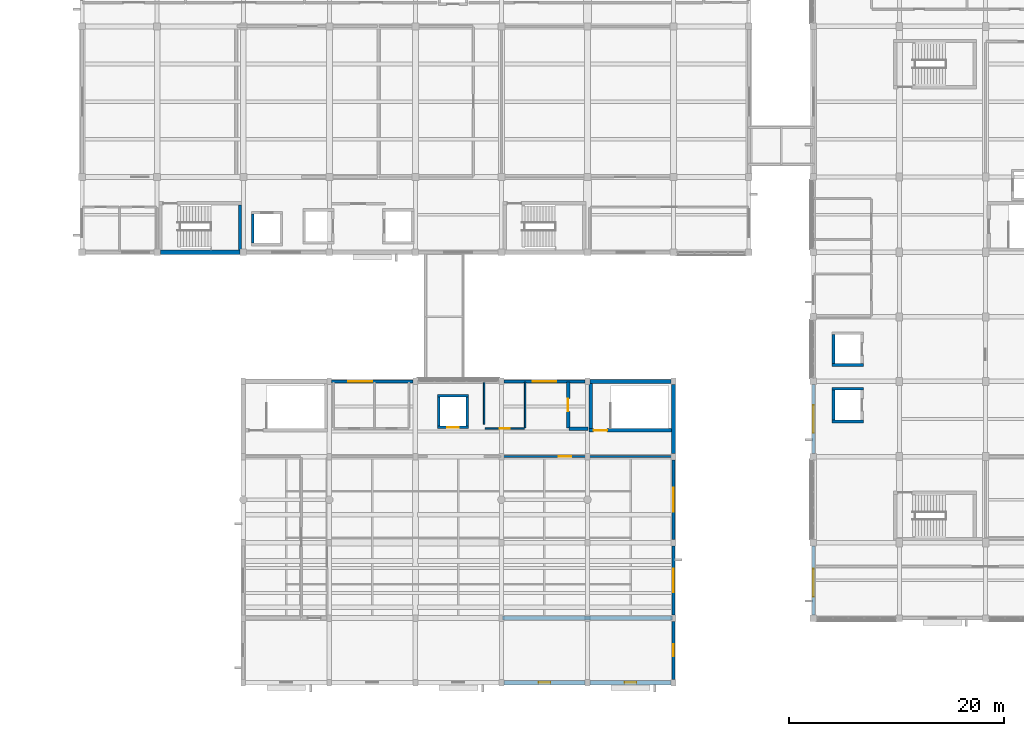
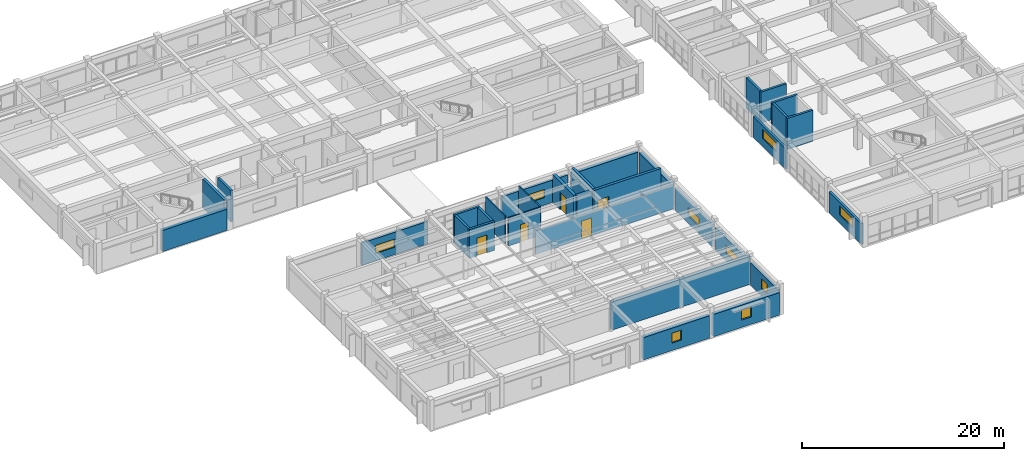
# One storey, part 23 of 33: 32 walls, 9 windows, 5 doors, 14 openings.
"""IFC4 building model written with IfcOpenShell, lengths in metres."""

from ifc_helpers import new_model, si_unit, direction, frame, frame_2d, origin, place, context, subcontext, project, spatial, rectangle, extrude, material, layer, layer_set, type_object, element, fill, save


model = new_model("IFC4")

# Units and contexts
model_context = context("Model", 3, precision=1e-05, world=origin(), true_north=direction((0.0, 1.0)))
body_context = subcontext(model_context, "Body", "Model", "MODEL_VIEW")
ifc_project = project(units=[si_unit("LENGTHUNIT", "METRE"), si_unit("AREAUNIT", "SQUARE_METRE"), si_unit("VOLUMEUNIT", "CUBIC_METRE"), si_unit("PLANEANGLEUNIT", "RADIAN"), si_unit("MASSUNIT", "GRAM", prefix="KILO")], contexts=[model_context])

# Site, building, storey
site_placement = place(None, origin())
site = spatial("IfcSite", under=ifc_project, at=site_placement, CompositionType="ELEMENT")
building_placement = place(site_placement, origin())
building = spatial("IfcBuilding", under=site, at=building_placement, Name="Naurynzar Civic Courthouse", CompositionType="ELEMENT")
storey_placement = place(building_placement, frame((0.0, 0.0, 22.050048828125)))
storey = spatial("IfcBuildingStorey", under=building, at=storey_placement, Name="L06", CompositionType="ELEMENT", Elevation=22.050048828125)

# Wall
ifc_material_1 = material(Name="Concrete C40/50", Category="concrete")
ifc_layer_1 = layer(ifc_material_1, 0.300048828125)
ifc_layer_set_1 = layer_set([ifc_layer_1], Name="WL-CORE-300")
wall_type_1 = type_object("IfcWallType", Name="WL-CORE-300", PredefinedType="SHEAR", material=ifc_layer_set_1)
wall_1_placement = place(storey_placement, frame((76.699951171875, 44.195068359375, 0.0), z_axis=(0.0, 0.0, 1.0), x_axis=(0.0, 1.0, 0.0)))
element("IfcWall", 1, at=wall_1_placement, inside=storey, type_object=wall_type_1, Name="Stair ST-V2A enclosure wall east L06", PredefinedType="SHEAR", context=body_context, shape_type="SweptSolid", body=[
    extrude(rectangle(XDim=4.199951171875, YDim=0.300048828125, at=frame_2d((2.10009765625, 0.0))), origin(), (0.0, 0.0, 1.0), 3.469970703125),
])

# Wall, opening, door
wall_2_placement = place(storey_placement, frame((109.14990234375, 27.449951171875, 0.0), z_axis=(0.0, 0.0, 1.0), x_axis=(1.0, 0.0, 0.0)))
wall_2 = element("IfcWall", 2, at=wall_2_placement, inside=storey, type_object=wall_type_1, Name="Stair ST-V3B enclosure wall south L06", PredefinedType="SHEAR", context=body_context, shape_type="SweptSolid", body=[
    extrude(rectangle(XDim=7.655029296875, YDim=0.300048828125, at=frame_2d((3.82763671875, 0.0))), origin(), (0.0, 0.0, 1.0), 3.469970703125),
])
opening_1_placement = place(wall_2_placement, frame((0.425048828125, 0.0, 0.0)))
opening_1 = element("IfcOpeningElement", 3, at=opening_1_placement, cuts=wall_2, Name="Opening SD-058", PredefinedType="OPENING", context=body_context, shape_type="SweptSolid", body=[
    extrude(rectangle(XDim=1.25, YDim=2.14990234375, at=frame_2d((0.625, 1.074951171875))), frame((0.0, 0.159912109375, 0.0), z_axis=(0.0, -1.0, 0.0), x_axis=(1.0, 0.0, 0.0)), (0.0, 0.0, 1.0), 0.320068359375),
])
ifc_material_2 = material(Name="Powder-Coated Galvanised Steel", Category="steel")
door_type_1 = type_object("IfcDoorType", Name="DR-STAIR-1250x2150", OperationType="NOTDEFINED", PredefinedType="DOOR", material=ifc_material_2)
door_1_placement = place(opening_1_placement, origin())
door_1 = element("IfcDoor", 4, at=door_1_placement, inside=storey, type_object=door_type_1, Name="Stair ST-V3B fire door L06", OperationType="SINGLE_SWING_RIGHT", OverallHeight=2.14990234375, OverallWidth=1.25, PredefinedType="DOOR", context=body_context, shape_type="SweptSolid", body=[
    extrude(rectangle(XDim=1.25, YDim=2.14990234375, at=frame_2d((0.625, 1.074951171875))), frame((0.0, 0.02490234375, 0.0), z_axis=(0.0, -1.0, 0.0), x_axis=(1.0, 0.0, 0.0)), (0.0, 0.0, 1.0), 0.050048828125),
])
fill(opening_1, door_1)

# Walls
wall_3_placement = place(storey_placement, frame((109.300048828125, 31.804931640625, 0.0), z_axis=(0.0, 0.0, 1.0), x_axis=(0.0, -1.0, 0.0)))
element("IfcWall", 5, at=wall_3_placement, inside=storey, type_object=wall_type_1, Name="Stair ST-V3B enclosure wall west L06", PredefinedType="SHEAR", context=body_context, shape_type="SweptSolid", body=[
    extrude(rectangle(XDim=4.199951171875, YDim=0.300048828125, at=frame_2d((2.10009765625, 0.0))), origin(), (0.0, 0.0, 1.0), 3.469970703125),
])
ifc_material_3 = material(Name="Concrete C40/50", Category="concrete")
ifc_layer_2 = layer(ifc_material_3, 0.35009765625)
ifc_layer_set_2 = layer_set([ifc_layer_2], Name="WL-CORE-350")
wall_type_2 = type_object("IfcWallType", Name="WL-CORE-350", PredefinedType="SHEAR", material=ifc_layer_set_2)
wall_4_placement = place(storey_placement, frame((101.080078125, 10.0, 0.0), z_axis=(0.0, 0.0, 1.0), x_axis=(1.0, 0.0, 0.0)))
element("IfcWall", 6, at=wall_4_placement, inside=storey, type_object=wall_type_2, Name="V3 interior partition L06.652", PredefinedType="SHEAR", context=body_context, shape_type="SweptSolid", body=[
    extrude(rectangle(XDim=15.83984375, YDim=0.35009765625, at=frame_2d((7.919921875, 0.0))), origin(), (0.0, 0.0, 1.0), 3.389892578125),
])
wall_5_placement = place(storey_placement, frame((107.280029296875, 27.60009765625, 0.0), z_axis=(0.0, 0.0, 1.0), x_axis=(1.0, 0.0, 0.0)))
element("IfcWall", 7, at=wall_5_placement, inside=storey, type_object=wall_type_2, Name="V3 interior partition L06.663", PredefinedType="SHEAR", context=body_context, shape_type="SweptSolid", body=[
    extrude(rectangle(XDim=1.77001953125, YDim=0.35009765625, at=frame_2d((0.885009765625, 0.0))), origin(), (0.0, 0.0, 1.0), 3.389892578125),
])

# Wall, opening, door
wall_6_placement = place(storey_placement, frame((107.199951171875, 27.679931640625, 0.0), z_axis=(0.0, 0.0, 1.0), x_axis=(0.0, 1.0, 0.0)))
wall_6 = element("IfcWall", 8, at=wall_6_placement, inside=storey, type_object=wall_type_2, Name="V3 interior partition L06.707", PredefinedType="SHEAR", context=body_context, shape_type="SweptSolid", body=[
    extrude(rectangle(XDim=4.239990234375, YDim=0.35009765625, at=frame_2d((2.1201171875, 0.0))), origin(), (0.0, 0.0, 1.0), 3.389892578125),
])
opening_2_placement = place(wall_6_placement, frame((1.52001953125, 0.0, 0.0)))
opening_2 = element("IfcOpeningElement", 9, at=opening_2_placement, cuts=wall_6, Name="Opening D-264", PredefinedType="OPENING", context=body_context, shape_type="SweptSolid", body=[
    extrude(rectangle(XDim=1.199951171875, YDim=2.14990234375, at=frame_2d((0.60009765625, 1.074951171875))), frame((0.0, 0.18505859375, 0.0), z_axis=(0.0, -1.0, 0.0), x_axis=(1.0, 0.0, 0.0)), (0.0, 0.0, 1.0), 0.3701171875),
])
ifc_material_4 = material(Name="Powder-Coated Galvanised Steel", Category="steel")
door_type_2 = type_object("IfcDoorType", Name="DR-ARCH-1200x2150", OperationType="NOTDEFINED", PredefinedType="DOOR", material=ifc_material_4)
door_2_placement = place(opening_2_placement, origin())
door_2 = element("IfcDoor", 10, at=door_2_placement, inside=storey, type_object=door_type_2, Name="Interior door D-264 (Law Library Book Stacks North L06)", OperationType="SINGLE_SWING_RIGHT", OverallHeight=2.14990234375, OverallWidth=1.199951171875, PredefinedType="DOOR", context=body_context, shape_type="SweptSolid", body=[
    extrude(rectangle(XDim=1.199951171875, YDim=2.14990234375, at=frame_2d((0.60009765625, 1.074951171875))), frame((0.0, 0.02490234375, 0.0), z_axis=(0.0, -1.0, 0.0), x_axis=(1.0, 0.0, 0.0)), (0.0, 0.0, 1.0), 0.050048828125),
])
fill(opening_2, door_2)

# Wall, opening, window
ifc_material_5 = material(Name="Precast concrete C40/50", Category="concrete")
ifc_layer_3 = layer(ifc_material_5, 0.260009765625)
ifc_layer_set_3 = layer_set([ifc_layer_3], Name="WL-EXT-260")
wall_type_3 = type_object("IfcWallType", Name="WL-EXT-260", PredefinedType="SOLIDWALL", material=ifc_layer_set_3)
wall_7_placement = place(storey_placement, frame((85.22509765625, 32.0, 0.0), z_axis=(0.0, 0.0, 1.0), x_axis=(1.0, 0.0, 0.0)))
wall_7 = element("IfcWall", 11, at=wall_7_placement, inside=storey, type_object=wall_type_3, Name="V3 exterior wall north L06.2.1", PredefinedType="SOLIDWALL", context=body_context, shape_type="SweptSolid", body=[
    extrude(rectangle(XDim=7.5498046875, YDim=0.260009765625, at=frame_2d((3.77490234375, 0.0))), origin(), (0.0, 0.0, 1.0), 2.7099609375),
])
opening_3_placement = place(wall_7_placement, frame((1.554931640625, 0.0, 0.89990234375)))
opening_3 = element("IfcOpeningElement", 12, at=opening_3_placement, cuts=wall_7, Name="Opening WN-18", PredefinedType="OPENING", context=body_context, shape_type="SweptSolid", body=[
    extrude(rectangle(XDim=2.199951171875, YDim=1.0, at=frame_2d((1.10009765625, 0.5))), frame((0.0, 0.139892578125, 0.0), z_axis=(0.0, -1.0, 0.0), x_axis=(1.0, 0.0, 0.0)), (0.0, 0.0, 1.0), 0.280029296875),
])
ifc_material_6 = material(Name="Tempered Laminated Low-E Glass", Category="glass")
window_type_1 = type_object("IfcWindowType", Name="WIN-CLER-2200x1000", PartitioningType="DOUBLE_PANEL_VERTICAL", PredefinedType="WINDOW", material=ifc_material_6)
window_1_placement = place(opening_3_placement, origin())
window_1 = element("IfcWindow", 13, at=window_1_placement, inside=storey, type_object=window_type_1, Name="V3 window 204 L06", OverallHeight=1.0, OverallWidth=2.199951171875, PartitioningType="SINGLE_PANEL", PredefinedType="WINDOW", context=body_context, shape_type="SweptSolid", body=[
    extrude(rectangle(XDim=2.199951171875, YDim=1.0, at=frame_2d((1.10009765625, 0.5))), frame((0.0, 0.030029296875, 0.0), z_axis=(0.0, -1.0, 0.0), x_axis=(1.0, 0.0, 0.0)), (0.0, 0.0, 1.0), 0.06005859375),
])
fill(opening_3, window_1)

wall_8_placement = place(storey_placement, frame((101.22509765625, 32.0, 0.0), z_axis=(0.0, 0.0, 1.0), x_axis=(1.0, 0.0, 0.0)))
wall_8 = element("IfcWall", 14, at=wall_8_placement, inside=storey, type_object=wall_type_3, Name="V3 exterior wall north L06.4.1", PredefinedType="SOLIDWALL", context=body_context, shape_type="SweptSolid", body=[
    extrude(rectangle(XDim=7.5498046875, YDim=0.260009765625, at=frame_2d((3.77490234375, 0.0))), origin(), (0.0, 0.0, 1.0), 2.7099609375),
])
opening_4_placement = place(wall_8_placement, frame((2.675048828125, 0.0, 0.89990234375)))
opening_4 = element("IfcOpeningElement", 15, at=opening_4_placement, cuts=wall_8, Name="Opening WN-18", PredefinedType="OPENING", context=body_context, shape_type="SweptSolid", body=[
    extrude(rectangle(XDim=2.199951171875, YDim=1.0, at=frame_2d((1.10009765625, 0.5))), frame((0.0, 0.139892578125, 0.0), z_axis=(0.0, -1.0, 0.0), x_axis=(1.0, 0.0, 0.0)), (0.0, 0.0, 1.0), 0.280029296875),
])
window_2_placement = place(opening_4_placement, origin())
window_2 = element("IfcWindow", 16, at=window_2_placement, inside=storey, type_object=window_type_1, Name="V3 window 205 L06", OverallHeight=1.0, OverallWidth=2.199951171875, PartitioningType="SINGLE_PANEL", PredefinedType="WINDOW", context=body_context, shape_type="SweptSolid", body=[
    extrude(rectangle(XDim=2.199951171875, YDim=1.0, at=frame_2d((1.10009765625, 0.5))), frame((0.0, 0.030029296875, 0.0), z_axis=(0.0, -1.0, 0.0), x_axis=(1.0, 0.0, 0.0)), (0.0, 0.0, 1.0), 0.06005859375),
])
fill(opening_4, window_2)

wall_9_placement = place(storey_placement, frame((117.0, 24.699951171875, 0.0), z_axis=(0.0, 0.0, 1.0), x_axis=(0.0, -1.0, 0.0)))
wall_9 = element("IfcWall", 17, at=wall_9_placement, inside=storey, type_object=wall_type_3, Name="V3 exterior wall east L06.2.1", PredefinedType="SOLIDWALL", context=body_context, shape_type="SweptSolid", body=[
    extrude(rectangle(XDim=7.39990234375, YDim=0.260009765625, at=frame_2d((3.699951171875, 0.0))), origin(), (0.0, 0.0, 1.0), 2.7099609375),
])
opening_5_placement = place(wall_9_placement, frame((2.60009765625, 0.0, 0.89990234375)))
opening_5 = element("IfcOpeningElement", 18, at=opening_5_placement, cuts=wall_9, Name="Opening WN-18", PredefinedType="OPENING", context=body_context, shape_type="SweptSolid", body=[
    extrude(rectangle(XDim=2.199951171875, YDim=1.0, at=frame_2d((1.10009765625, 0.5))), frame((0.0, 0.139892578125, 0.0), z_axis=(0.0, -1.0, 0.0), x_axis=(1.0, 0.0, 0.0)), (0.0, 0.0, 1.0), 0.280029296875),
])
window_3_placement = place(opening_5_placement, origin())
window_3 = element("IfcWindow", 19, at=window_3_placement, inside=storey, type_object=window_type_1, Name="V3 window 206 L06", OverallHeight=1.0, OverallWidth=2.199951171875, PartitioningType="SINGLE_PANEL", PredefinedType="WINDOW", context=body_context, shape_type="SweptSolid", body=[
    extrude(rectangle(XDim=2.199951171875, YDim=1.0, at=frame_2d((1.10009765625, 0.5))), frame((0.0, 0.030029296875, 0.0), z_axis=(0.0, -1.0, 0.0), x_axis=(1.0, 0.0, 0.0)), (0.0, 0.0, 1.0), 0.06005859375),
])
fill(opening_5, window_3)

wall_10_placement = place(storey_placement, frame((117.0, 16.699951171875, 0.0), z_axis=(0.0, 0.0, 1.0), x_axis=(0.0, -1.0, 0.0)))
wall_10 = element("IfcWall", 20, at=wall_10_placement, inside=storey, type_object=wall_type_3, Name="V3 exterior wall east L06.3.1", PredefinedType="SOLIDWALL", context=body_context, shape_type="SweptSolid", body=[
    extrude(rectangle(XDim=6.39990234375, YDim=0.260009765625, at=frame_2d((3.199951171875, 0.0))), origin(), (0.0, 0.0, 1.0), 2.7099609375),
])
opening_6_placement = place(wall_10_placement, frame((2.10009765625, 0.0, 0.89990234375)))
opening_6 = element("IfcOpeningElement", 21, at=opening_6_placement, cuts=wall_10, Name="Opening WN-18", PredefinedType="OPENING", context=body_context, shape_type="SweptSolid", body=[
    extrude(rectangle(XDim=2.199951171875, YDim=1.0, at=frame_2d((1.10009765625, 0.5))), frame((0.0, 0.139892578125, 0.0), z_axis=(0.0, -1.0, 0.0), x_axis=(1.0, 0.0, 0.0)), (0.0, 0.0, 1.0), 0.280029296875),
])
window_4_placement = place(opening_6_placement, origin())
window_4 = element("IfcWindow", 22, at=window_4_placement, inside=storey, type_object=window_type_1, Name="V3 window 207 L06", OverallHeight=1.0, OverallWidth=2.199951171875, PartitioningType="SINGLE_PANEL", PredefinedType="WINDOW", context=body_context, shape_type="SweptSolid", body=[
    extrude(rectangle(XDim=2.199951171875, YDim=1.0, at=frame_2d((1.10009765625, 0.5))), frame((0.0, 0.030029296875, 0.0), z_axis=(0.0, -1.0, 0.0), x_axis=(1.0, 0.0, 0.0)), (0.0, 0.0, 1.0), 0.06005859375),
])
fill(opening_6, window_4)

wall_11_placement = place(storey_placement, frame((117.0, 9.699951171875, 0.0), z_axis=(0.0, 0.0, 1.0), x_axis=(0.0, -1.0, 0.0)))
wall_11 = element("IfcWall", 23, at=wall_11_placement, inside=storey, type_object=wall_type_3, Name="V3 exterior wall east L06.4.1", PredefinedType="SOLIDWALL", context=body_context, shape_type="SweptSolid", body=[
    extrude(rectangle(XDim=5.39990234375, YDim=0.260009765625, at=frame_2d((2.699951171875, 0.0))), origin(), (0.0, 0.0, 1.0), 2.7099609375),
])
opening_7_placement = place(wall_11_placement, frame((2.14990234375, 0.0, 0.89990234375)))
opening_7 = element("IfcOpeningElement", 24, at=opening_7_placement, cuts=wall_11, Name="Opening WN-15", PredefinedType="OPENING", context=body_context, shape_type="SweptSolid", body=[
    extrude(rectangle(XDim=1.10009765625, YDim=1.199951171875, at=frame_2d((0.550048828125, 0.60009765625))), frame((0.0, 0.139892578125, 0.0), z_axis=(0.0, -1.0, 0.0), x_axis=(1.0, 0.0, 0.0)), (0.0, 0.0, 1.0), 0.280029296875),
])
ifc_material_7 = material(Name="Tempered Laminated Low-E Glass", Category="glass")
window_type_2 = type_object("IfcWindowType", Name="WIN-SEC-1100x1200", PartitioningType="SINGLE_PANEL", PredefinedType="WINDOW", material=ifc_material_7)
window_5_placement = place(opening_7_placement, origin())
window_5 = element("IfcWindow", 25, at=window_5_placement, inside=storey, type_object=window_type_2, Name="V3 window 208 L06", OverallHeight=1.199951171875, OverallWidth=1.10009765625, PartitioningType="SINGLE_PANEL", PredefinedType="WINDOW", context=body_context, shape_type="SweptSolid", body=[
    extrude(rectangle(XDim=1.10009765625, YDim=1.199951171875, at=frame_2d((0.550048828125, 0.60009765625))), frame((0.0, 0.030029296875, 0.0), z_axis=(0.0, -1.0, 0.0), x_axis=(1.0, 0.0, 0.0)), (0.0, 0.0, 1.0), 0.06005859375),
])
fill(opening_7, window_5)

wall_12_placement = place(storey_placement, frame((130.0, 10.300048828125, 0.0), z_axis=(0.0, 0.0, 1.0), x_axis=(0.0, 1.0, 0.0)))
wall_12 = element("IfcWall", 26, at=wall_12_placement, inside=storey, type_object=wall_type_3, Name="V5 exterior wall west L06.1.1", PredefinedType="SOLIDWALL", context=body_context, shape_type="SweptSolid", body=[
    extrude(rectangle(XDim=6.39990234375, YDim=0.260009765625, at=frame_2d((3.199951171875, 0.0))), origin(), (0.0, 0.0, 1.0), 2.510009765625),
])
opening_8_placement = place(wall_12_placement, frame((1.679931640625, 0.0, 1.0)))
opening_8 = element("IfcOpeningElement", 27, at=opening_8_placement, cuts=wall_12, Name="Opening WN-17", PredefinedType="OPENING", context=body_context, shape_type="SweptSolid", body=[
    extrude(rectangle(XDim=2.60009765625, YDim=1.10009765625, at=frame_2d((1.300048828125, 0.550048828125))), frame((0.0, 0.139892578125, 0.0), z_axis=(0.0, -1.0, 0.0), x_axis=(1.0, 0.0, 0.0)), (0.0, 0.0, 1.0), 0.280029296875),
])
ifc_material_8 = material(Name="Tempered Laminated Low-E Glass", Category="glass")
window_type_3 = type_object("IfcWindowType", Name="WIN-CLER-2600x1100", PartitioningType="DOUBLE_PANEL_VERTICAL", PredefinedType="WINDOW", material=ifc_material_8)
window_6_placement = place(opening_8_placement, origin())
window_6 = element("IfcWindow", 28, at=window_6_placement, inside=storey, type_object=window_type_3, Name="V5 window 336 L06", OverallHeight=1.10009765625, OverallWidth=2.60009765625, PartitioningType="SINGLE_PANEL", PredefinedType="WINDOW", context=body_context, shape_type="SweptSolid", body=[
    extrude(rectangle(XDim=2.60009765625, YDim=1.10009765625, at=frame_2d((1.300048828125, 0.550048828125))), frame((0.0, 0.030029296875, 0.0), z_axis=(0.0, -1.0, 0.0), x_axis=(1.0, 0.0, 0.0)), (0.0, 0.0, 1.0), 0.06005859375),
])
fill(opening_8, window_6)

wall_13_placement = place(storey_placement, frame((130.0, 25.300048828125, 0.0), z_axis=(0.0, 0.0, 1.0), x_axis=(0.0, 1.0, 0.0)))
wall_13 = element("IfcWall", 29, at=wall_13_placement, inside=storey, type_object=wall_type_3, Name="V5 exterior wall west L06.3.1", PredefinedType="SOLIDWALL", context=body_context, shape_type="SweptSolid", body=[
    extrude(rectangle(XDim=6.39990234375, YDim=0.260009765625, at=frame_2d((3.199951171875, 0.0))), origin(), (0.0, 0.0, 1.0), 2.510009765625),
])
opening_9_placement = place(wall_13_placement, frame((1.89990234375, 0.0, 1.0)))
opening_9 = element("IfcOpeningElement", 30, at=opening_9_placement, cuts=wall_13, Name="Opening WN-17", PredefinedType="OPENING", context=body_context, shape_type="SweptSolid", body=[
    extrude(rectangle(XDim=2.60009765625, YDim=1.10009765625, at=frame_2d((1.300048828125, 0.550048828125))), frame((0.0, 0.139892578125, 0.0), z_axis=(0.0, -1.0, 0.0), x_axis=(1.0, 0.0, 0.0)), (0.0, 0.0, 1.0), 0.280029296875),
])
window_7_placement = place(opening_9_placement, origin())
window_7 = element("IfcWindow", 31, at=window_7_placement, inside=storey, type_object=window_type_3, Name="V5 window 337 L06", OverallHeight=1.10009765625, OverallWidth=2.60009765625, PartitioningType="SINGLE_PANEL", PredefinedType="WINDOW", context=body_context, shape_type="SweptSolid", body=[
    extrude(rectangle(XDim=2.60009765625, YDim=1.10009765625, at=frame_2d((1.300048828125, 0.550048828125))), frame((0.0, 0.030029296875, 0.0), z_axis=(0.0, -1.0, 0.0), x_axis=(1.0, 0.0, 0.0)), (0.0, 0.0, 1.0), 0.06005859375),
])
fill(opening_9, window_7)

# Wall, opening, door
ifc_material_9 = material(Name="Acoustic Double-Stud Gypsum Partition")
ifc_layer_4 = layer(ifc_material_9, 0.179931640625)
ifc_layer_set_4 = layer_set([ifc_layer_4], Name="WL-PART-JURY-180")
wall_type_4 = type_object("IfcWallType", Name="WL-PART-JURY-180", PredefinedType="PARTITIONING", material=ifc_layer_set_4)
wall_14_placement = place(storey_placement, frame((101.080078125, 25.0, 0.0), z_axis=(0.0, 0.0, 1.0), x_axis=(1.0, 0.0, 0.0)))
wall_14 = element("IfcWall", 32, at=wall_14_placement, inside=storey, type_object=wall_type_4, Name="V3 interior partition L06.658", PredefinedType="PARTITIONING", context=body_context, shape_type="SweptSolid", body=[
    extrude(rectangle(XDim=15.83984375, YDim=0.179931640625, at=frame_2d((7.919921875, 0.0))), origin(), (0.0, 0.0, 1.0), 2.829833984375),
])
opening_10_placement = place(wall_14_placement, frame((5.24658203125, 0.0, 0.0)))
opening_10 = element("IfcOpeningElement", 33, at=opening_10_placement, cuts=wall_14, Name="Opening D-267", PredefinedType="OPENING", context=body_context, shape_type="SweptSolid", body=[
    extrude(rectangle(XDim=1.14990234375, YDim=2.199951171875, at=frame_2d((0.574951171875, 1.10009765625))), frame((0.0, 0.099853515625, 0.0), z_axis=(0.0, -1.0, 0.0), x_axis=(1.0, 0.0, 0.0)), (0.0, 0.0, 1.0), 0.199951171875),
])
ifc_material_10 = material(Name="Acoustic Oak Timber Grade A", Category="wood")
door_type_3 = type_object("IfcDoorType", Name="DR-JURY-1150x2200", OperationType="NOTDEFINED", PredefinedType="DOOR", material=ifc_material_10)
door_3_placement = place(opening_10_placement, origin())
door_3 = element("IfcDoor", 34, at=door_3_placement, inside=storey, type_object=door_type_3, Name="Interior door D-267 (Legal Scholars Seminar Room L06)", OperationType="SINGLE_SWING_LEFT", OverallHeight=2.199951171875, OverallWidth=1.14990234375, PredefinedType="DOOR", context=body_context, shape_type="SweptSolid", body=[
    extrude(rectangle(XDim=1.14990234375, YDim=2.199951171875, at=frame_2d((0.574951171875, 1.10009765625))), frame((0.0, 0.02490234375, 0.0), z_axis=(0.0, -1.0, 0.0), x_axis=(1.0, 0.0, 0.0)), (0.0, 0.0, 1.0), 0.050048828125),
])
fill(opening_10, door_3)

ifc_material_11 = material(Name="Moisture-Resistant Plumbing Partition")
ifc_layer_5 = layer(ifc_material_11, 0.139892578125)
ifc_layer_set_5 = layer_set([ifc_layer_5], Name="WL-PART-WC-140")
wall_type_5 = type_object("IfcWallType", Name="WL-PART-WC-140", PredefinedType="PLUMBINGWALL", material=ifc_layer_set_5)
wall_15_placement = place(storey_placement, frame((99.47998046875, 27.60009765625, 0.0), z_axis=(0.0, 0.0, 1.0), x_axis=(1.0, 0.0, 0.0)))
wall_15 = element("IfcWall", 35, at=wall_15_placement, inside=storey, type_object=wall_type_5, Name="V3 interior partition L06.662", PredefinedType="PLUMBINGWALL", context=body_context, shape_type="SweptSolid", body=[
    extrude(rectangle(XDim=3.64013671875, YDim=0.139892578125, at=frame_2d((1.820068359375, 0.0))), origin(), (0.0, 0.0, 1.0), 3.389892578125),
])
opening_11_placement = place(wall_15_placement, frame((1.360107421875, 0.0, 0.0)))
opening_11 = element("IfcOpeningElement", 36, at=opening_11_placement, cuts=wall_15, Name="Opening D-262", PredefinedType="OPENING", context=body_context, shape_type="SweptSolid", body=[
    extrude(rectangle(XDim=0.919921875, YDim=2.10009765625, at=frame_2d((0.4599609375, 1.050048828125))), frame((0.0, 0.079833984375, 0.0), z_axis=(0.0, -1.0, 0.0), x_axis=(1.0, 0.0, 0.0)), (0.0, 0.0, 1.0), 0.159912109375),
])
ifc_material_12 = material(Name="Acoustic Oak Timber Grade A", Category="wood")
door_type_4 = type_object("IfcDoorType", Name="DR-WC-STD-920x2100", OperationType="NOTDEFINED", PredefinedType="DOOR", material=ifc_material_12)
door_4_placement = place(opening_11_placement, origin())
door_4 = element("IfcDoor", 37, at=door_4_placement, inside=storey, type_object=door_type_4, Name="Interior door D-262 (Staff WC V3)", OperationType="SINGLE_SWING_RIGHT", OverallHeight=2.10009765625, OverallWidth=0.919921875, PredefinedType="DOOR", context=body_context, shape_type="SweptSolid", body=[
    extrude(rectangle(XDim=0.919921875, YDim=2.10009765625, at=frame_2d((0.4599609375, 1.050048828125))), frame((0.0, 0.02490234375, 0.0), z_axis=(0.0, -1.0, 0.0), x_axis=(1.0, 0.0, 0.0)), (0.0, 0.0, 1.0), 0.050048828125),
])
fill(opening_11, door_4)

# Walls
wall_16_placement = place(storey_placement, frame((99.39990234375, 28.0, 0.0), z_axis=(0.0, 0.0, 1.0), x_axis=(0.0, 1.0, 0.0)))
element("IfcWall", 38, at=wall_16_placement, inside=storey, type_object=wall_type_5, Name="V3 interior partition L06.703", PredefinedType="PLUMBINGWALL", context=body_context, shape_type="SweptSolid", body=[
    extrude(rectangle(XDim=3.919921875, YDim=0.139892578125, at=frame_2d((1.9599609375, 0.0))), origin(), (0.0, 0.0, 1.0), 3.389892578125),
])
wall_17_placement = place(storey_placement, frame((103.199951171875, 27.679931640625, 0.0), z_axis=(0.0, 0.0, 1.0), x_axis=(0.0, 1.0, 0.0)))
element("IfcWall", 39, at=wall_17_placement, inside=storey, type_object=wall_type_5, Name="V3 interior partition L06.706", PredefinedType="PLUMBINGWALL", context=body_context, shape_type="SweptSolid", body=[
    extrude(rectangle(XDim=4.239990234375, YDim=0.139892578125, at=frame_2d((2.1201171875, 0.0))), origin(), (0.0, 0.0, 1.0), 3.389892578125),
])
ifc_material_13 = material(Name="Concrete C40/50", Category="concrete")
ifc_layer_6 = layer(ifc_material_13, 0.3798828125)
ifc_layer_set_6 = layer_set([ifc_layer_6], Name="WL-RET-380")
wall_type_6 = type_object("IfcWallType", Name="WL-RET-380", PredefinedType="STANDARD", material=ifc_layer_set_6)
wall_18_placement = place(storey_placement, frame((76.6875, 44.0, 0.0), z_axis=(0.0, 0.0, 1.0), x_axis=(-1.0, 0.0, 0.0)))
element("IfcWall", 40, at=wall_18_placement, inside=storey, type_object=wall_type_6, Name="V2 exterior wall south L06.7.1", PredefinedType="STANDARD", context=body_context, shape_type="SweptSolid", body=[
    extrude(rectangle(XDim=7.375, YDim=0.3798828125, at=frame_2d((3.6875, 0.0))), origin(), (0.0, 0.0, 1.0), 2.56005859375),
])
wall_19_placement = place(storey_placement, frame((109.22509765625, 32.0, 0.0), z_axis=(0.0, 0.0, 1.0), x_axis=(1.0, 0.0, 0.0)))
element("IfcWall", 41, at=wall_19_placement, inside=storey, type_object=wall_type_6, Name="V3 exterior wall north L06.5.1", PredefinedType="STANDARD", context=body_context, shape_type="SweptSolid", body=[
    extrude(rectangle(XDim=7.5498046875, YDim=0.3798828125, at=frame_2d((3.77490234375, 0.0))), origin(), (0.0, 0.0, 1.0), 2.7099609375),
])
wall_20_placement = place(storey_placement, frame((117.0, 31.699951171875, 0.0), z_axis=(0.0, 0.0, 1.0), x_axis=(0.0, -1.0, 0.0)))
element("IfcWall", 42, at=wall_20_placement, inside=storey, type_object=wall_type_6, Name="V3 exterior wall east L06.1.1", PredefinedType="STANDARD", context=body_context, shape_type="SweptSolid", body=[
    extrude(rectangle(XDim=6.39990234375, YDim=0.3798828125, at=frame_2d((3.199951171875, 0.0))), origin(), (0.0, 0.0, 1.0), 2.7099609375),
])
ifc_material_14 = material(Name="Concrete C40/50", Category="concrete")
ifc_layer_7 = layer(ifc_material_14, 0.25)
ifc_layer_set_7 = layer_set([ifc_layer_7], Name="WL-SHAFT-250")
wall_type_7 = type_object("IfcWallType", Name="WL-SHAFT-250", PredefinedType="SHEAR", material=ifc_layer_set_7)
wall_21_placement = place(storey_placement, frame((77.875, 47.544921875, 0.0), z_axis=(0.0, 0.0, 1.0), x_axis=(0.0, -1.0, 0.0)))
element("IfcWall", 43, at=wall_21_placement, inside=storey, type_object=wall_type_7, Name="Lift LP-03 shaft wall west L06", PredefinedType="SHEAR", context=body_context, shape_type="SweptSolid", body=[
    extrude(rectangle(XDim=2.68994140625, YDim=0.25, at=frame_2d((1.344970703125, 0.0))), origin(), (0.0, 0.0, 1.0), 3.75),
])

# Wall, opening, door
wall_22_placement = place(storey_placement, frame((95.050048828125, 27.72509765625, 0.0), z_axis=(0.0, 0.0, 1.0), x_axis=(1.0, 0.0, 0.0)))
wall_22 = element("IfcWall", 44, at=wall_22_placement, inside=storey, type_object=wall_type_7, Name="Lift LP-04 shaft wall south L06", PredefinedType="SHEAR", context=body_context, shape_type="SweptSolid", body=[
    extrude(rectangle(XDim=2.89990234375, YDim=0.25, at=frame_2d((1.449951171875, 0.0))), origin(), (0.0, 0.0, 1.0), 3.469970703125),
])
opening_12_placement = place(wall_22_placement, frame((0.89990234375, 0.0, 0.0)))
opening_12 = element("IfcOpeningElement", 45, at=opening_12_placement, cuts=wall_22, Name="Opening LD-067", PredefinedType="OPENING", context=body_context, shape_type="SweptSolid", body=[
    extrude(rectangle(XDim=1.10009765625, YDim=2.14990234375, at=frame_2d((0.550048828125, 1.074951171875))), frame((0.0, 0.135009765625, 0.0), z_axis=(0.0, -1.0, 0.0), x_axis=(1.0, 0.0, 0.0)), (0.0, 0.0, 1.0), 0.27001953125),
])
ifc_material_15 = material(Name="Brushed Stainless Steel 304", Category="steel")
door_type_5 = type_object("IfcDoorType", Name="DR-LIFT-SLIDE-1100x2150", OperationType="DOUBLE_DOOR_SLIDING", PredefinedType="DOOR", material=ifc_material_15)
door_5_placement = place(opening_12_placement, origin())
door_5 = element("IfcDoor", 46, at=door_5_placement, inside=storey, type_object=door_type_5, Name="Lift LP-04 sliding landing door L06", OperationType="DOUBLE_DOOR_SLIDING", OverallHeight=2.14990234375, OverallWidth=1.10009765625, PredefinedType="DOOR", context=body_context, shape_type="SweptSolid", body=[
    extrude(rectangle(XDim=1.10009765625, YDim=2.14990234375, at=frame_2d((0.550048828125, 1.074951171875))), frame((0.0, 0.02490234375, 0.0), z_axis=(0.0, -1.0, 0.0), x_axis=(1.0, 0.0, 0.0)), (0.0, 0.0, 1.0), 0.050048828125),
])
fill(opening_12, door_5)

# Walls
wall_23_placement = place(storey_placement, frame((97.949951171875, 30.675048828125, 0.0), z_axis=(0.0, 0.0, 1.0), x_axis=(-1.0, 0.0, 0.0)))
element("IfcWall", 47, at=wall_23_placement, inside=storey, type_object=wall_type_7, Name="Lift LP-04 shaft wall north L06", PredefinedType="SHEAR", context=body_context, shape_type="SweptSolid", body=[
    extrude(rectangle(XDim=2.89990234375, YDim=0.25, at=frame_2d((1.449951171875, 0.0))), origin(), (0.0, 0.0, 1.0), 3.469970703125),
])
for number, where, z_axis, x_axis, name in (
    (48, (95.175048828125, 30.544921875, 0.0), (0.0, 0.0, 1.0), (0.0, -1.0, 0.0), "Lift LP-04 shaft wall west L06"),
    (49, (97.824951171875, 27.85498046875, 0.0), (0.0, 0.0, 1.0), (0.0, 1.0, 0.0), "Lift LP-04 shaft wall east L06"),
):
    element("IfcWall", number, at=place(storey_placement, frame(where, z_axis=z_axis, x_axis=x_axis)), inside=storey, type_object=wall_type_7, Name=name, PredefinedType="SHEAR", context=body_context, shape_type="SweptSolid", body=[
        extrude(rectangle(XDim=2.68994140625, YDim=0.25, at=frame_2d((1.344970703125, 0.0))), origin(), (0.0, 0.0, 1.0), 3.469970703125),
    ])
wall_24_placement = place(storey_placement, frame((131.75, 33.52490234375, 0.0), z_axis=(0.0, 0.0, 1.0), x_axis=(1.0, 0.0, 0.0)))
element("IfcWall", 50, at=wall_24_placement, inside=storey, type_object=wall_type_7, Name="Lift LP-05 shaft wall south L06", PredefinedType="SHEAR", context=body_context, shape_type="SweptSolid", body=[
    extrude(rectangle(XDim=2.89990234375, YDim=0.25, at=frame_2d((1.449951171875, 0.0))), origin(), (0.0, 0.0, 1.0), 3.75),
])
wall_25_placement = place(storey_placement, frame((131.875, 36.344970703125, 0.0), z_axis=(0.0, 0.0, 1.0), x_axis=(0.0, -1.0, 0.0)))
element("IfcWall", 51, at=wall_25_placement, inside=storey, type_object=wall_type_7, Name="Lift LP-05 shaft wall west L06", PredefinedType="SHEAR", context=body_context, shape_type="SweptSolid", body=[
    extrude(rectangle(XDim=2.68994140625, YDim=0.25, at=frame_2d((1.344970703125, 0.0))), origin(), (0.0, 0.0, 1.0), 3.75),
])
for number, where, z_axis, x_axis, name in (
    (52, (131.75, 28.27490234375, 0.0), (0.0, 0.0, 1.0), (1.0, 0.0, 0.0), "Lift LP-06 shaft wall south L06"),
    (53, (134.64990234375, 31.324951171875, 0.0), (0.0, 0.0, 1.0), (-1.0, 0.0, 0.0), "Lift LP-06 shaft wall north L06"),
):
    element("IfcWall", number, at=place(storey_placement, frame(where, z_axis=z_axis, x_axis=x_axis)), inside=storey, type_object=wall_type_7, Name=name, PredefinedType="SHEAR", context=body_context, shape_type="SweptSolid", body=[
        extrude(rectangle(XDim=2.89990234375, YDim=0.25, at=frame_2d((1.449951171875, 0.0))), origin(), (0.0, 0.0, 1.0), 3.75),
    ])
wall_26_placement = place(storey_placement, frame((131.875, 31.195068359375, 0.0), z_axis=(0.0, 0.0, 1.0), x_axis=(0.0, -1.0, 0.0)))
element("IfcWall", 54, at=wall_26_placement, inside=storey, type_object=wall_type_7, Name="Lift LP-06 shaft wall west L06", PredefinedType="SHEAR", context=body_context, shape_type="SweptSolid", body=[
    extrude(rectangle(XDim=2.7900390625, YDim=0.25, at=frame_2d((1.39501953125, 0.0))), origin(), (0.0, 0.0, 1.0), 3.75),
])

# Wall, opening, window
ifc_material_16 = material(Name="Concrete C40/50", Category="concrete")
ifc_layer_8 = layer(ifc_material_16, 0.419921875)
ifc_layer_set_8 = layer_set([ifc_layer_8], Name="WL-STACK-420")
wall_type_8 = type_object("IfcWallType", Name="WL-STACK-420", PredefinedType="SOLIDWALL", material=ifc_layer_set_8)
wall_27_placement = place(storey_placement, frame((116.77490234375, 4.0, 0.0), z_axis=(0.0, 0.0, 1.0), x_axis=(-1.0, 0.0, 0.0)))
wall_27 = element("IfcWall", 55, at=wall_27_placement, inside=storey, type_object=wall_type_8, Name="V3 exterior wall south L06.1.1", PredefinedType="SOLIDWALL", context=body_context, shape_type="SweptSolid", body=[
    extrude(rectangle(XDim=7.5498046875, YDim=0.419921875, at=frame_2d((3.77490234375, 0.0))), origin(), (0.0, 0.0, 1.0), 2.7099609375),
])
opening_13_placement = place(wall_27_placement, frame((3.22509765625, 0.0, 0.89990234375)))
opening_13 = element("IfcOpeningElement", 56, at=opening_13_placement, cuts=wall_27, Name="Opening WN-15", PredefinedType="OPENING", context=body_context, shape_type="SweptSolid", body=[
    extrude(rectangle(XDim=1.10009765625, YDim=1.199951171875, at=frame_2d((0.550048828125, 0.60009765625))), frame((0.0, 0.219970703125, 0.0), z_axis=(0.0, -1.0, 0.0), x_axis=(1.0, 0.0, 0.0)), (0.0, 0.0, 1.0), 0.43994140625),
])
window_8_placement = place(opening_13_placement, origin())
window_8 = element("IfcWindow", 57, at=window_8_placement, inside=storey, type_object=window_type_2, Name="V3 window 209 L06", OverallHeight=1.199951171875, OverallWidth=1.10009765625, PartitioningType="SINGLE_PANEL", PredefinedType="WINDOW", context=body_context, shape_type="SweptSolid", body=[
    extrude(rectangle(XDim=1.10009765625, YDim=1.199951171875, at=frame_2d((0.550048828125, 0.60009765625))), frame((0.0, 0.030029296875, 0.0), z_axis=(0.0, -1.0, 0.0), x_axis=(1.0, 0.0, 0.0)), (0.0, 0.0, 1.0), 0.06005859375),
])
fill(opening_13, window_8)

wall_28_placement = place(storey_placement, frame((108.77490234375, 4.0, 0.0), z_axis=(0.0, 0.0, 1.0), x_axis=(-1.0, 0.0, 0.0)))
wall_28 = element("IfcWall", 58, at=wall_28_placement, inside=storey, type_object=wall_type_8, Name="V3 exterior wall south L06.2.1", PredefinedType="SOLIDWALL", context=body_context, shape_type="SweptSolid", body=[
    extrude(rectangle(XDim=7.5498046875, YDim=0.419921875, at=frame_2d((3.77490234375, 0.0))), origin(), (0.0, 0.0, 1.0), 2.7099609375),
])
opening_14_placement = place(wall_28_placement, frame((3.22509765625, 0.0, 0.89990234375)))
opening_14 = element("IfcOpeningElement", 59, at=opening_14_placement, cuts=wall_28, Name="Opening WN-15", PredefinedType="OPENING", context=body_context, shape_type="SweptSolid", body=[
    extrude(rectangle(XDim=1.10009765625, YDim=1.199951171875, at=frame_2d((0.550048828125, 0.60009765625))), frame((0.0, 0.219970703125, 0.0), z_axis=(0.0, -1.0, 0.0), x_axis=(1.0, 0.0, 0.0)), (0.0, 0.0, 1.0), 0.43994140625),
])
window_9_placement = place(opening_14_placement, origin())
window_9 = element("IfcWindow", 60, at=window_9_placement, inside=storey, type_object=window_type_2, Name="V3 window 210 L06", OverallHeight=1.199951171875, OverallWidth=1.10009765625, PartitioningType="SINGLE_PANEL", PredefinedType="WINDOW", context=body_context, shape_type="SweptSolid", body=[
    extrude(rectangle(XDim=1.10009765625, YDim=1.199951171875, at=frame_2d((0.550048828125, 0.60009765625))), frame((0.0, 0.030029296875, 0.0), z_axis=(0.0, -1.0, 0.0), x_axis=(1.0, 0.0, 0.0)), (0.0, 0.0, 1.0), 0.06005859375),
])
fill(opening_14, window_9)

save(model, "model.ifc")
